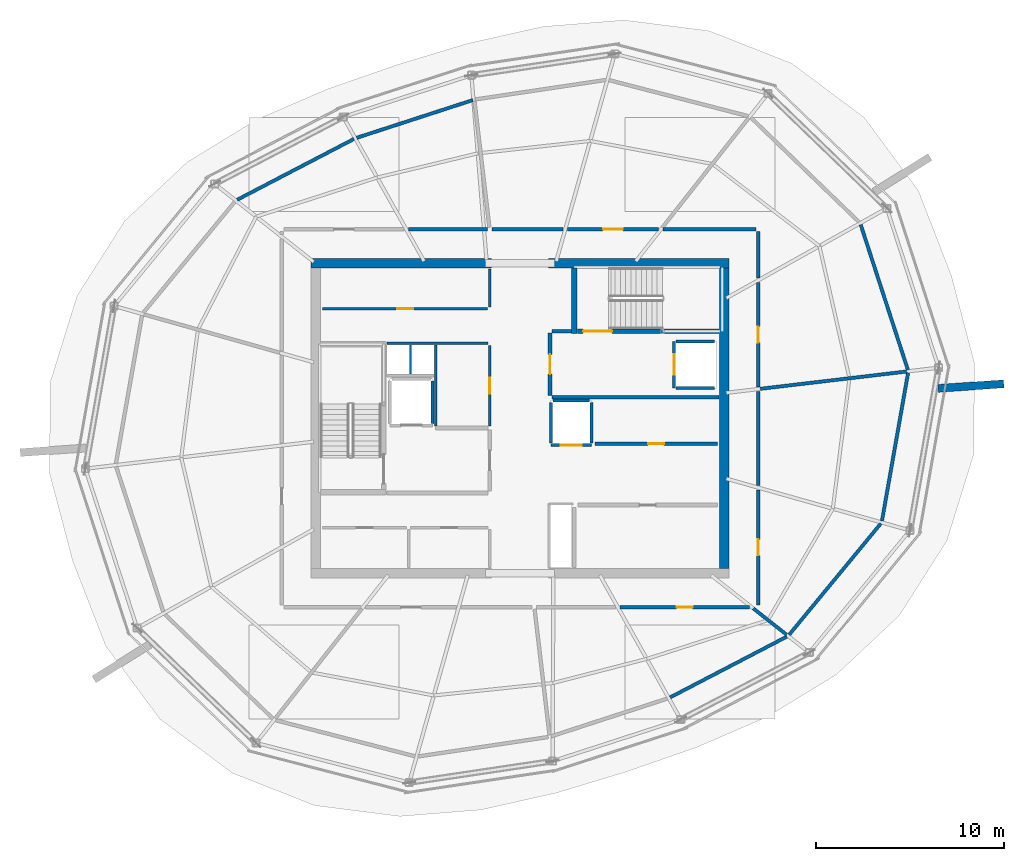
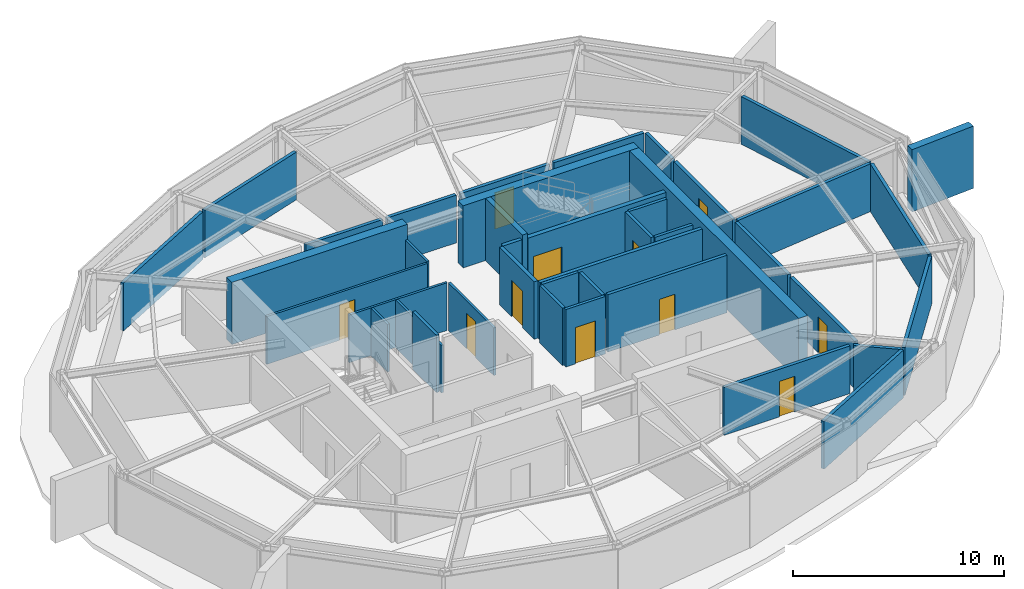
# One storey, part 8 of 10: 41 walls, 11 doors, 11 openings.
"""IFC4 building model written with IfcOpenShell, lengths in metres."""

from ifc_helpers import new_model, si_unit, direction, frame, frame_2d, origin, place, context, subcontext, project, spatial, rectangle, extrude, material, layer, layer_set, type_object, element, fill, save


model = new_model("IFC4")

# Units and contexts
model_context = context("Model", 3, precision=1e-05, world=origin(), true_north=direction((0.0, 1.0)))
body_context = subcontext(model_context, "Body", "Model", "MODEL_VIEW")
ifc_project = project(units=[si_unit("LENGTHUNIT", "METRE"), si_unit("AREAUNIT", "SQUARE_METRE"), si_unit("VOLUMEUNIT", "CUBIC_METRE"), si_unit("PLANEANGLEUNIT", "RADIAN"), si_unit("MASSUNIT", "GRAM", prefix="KILO")], contexts=[model_context])

# Site, building, storey
site_placement = place(None, origin())
site = spatial("IfcSite", under=ifc_project, at=site_placement, CompositionType="ELEMENT")
building_placement = place(site_placement, origin())
building = spatial("IfcBuilding", under=site, at=building_placement, Name="Kazma Halo Residences", CompositionType="ELEMENT")
storey_placement = place(building_placement, frame((0.0, 0.0, 363.199951171875)))
storey = spatial("IfcBuildingStorey", under=building, at=storey_placement, Name="L91", CompositionType="ELEMENT", Elevation=363.199951171875)

# Walls
ifc_material_1 = material(Name="Pale Concrete C60/75", Category="concrete")
ifc_layer_1 = layer(ifc_material_1, 0.419921875)
ifc_layer_set_1 = layer_set([ifc_layer_1], Name="Pale Concrete C60/75")
wall_type_1 = type_object("IfcWallType", Name="WL-BLADE-420", PredefinedType="SOLIDWALL", material=ifc_layer_set_1)
wall_1_placement = place(storey_placement, frame((70.666015625, 43.5849609375, 0.0), z_axis=(0.0, 0.0, 1.0), x_axis=(0.997564163539, 0.069754853754, 0.0)))
element("IfcWall", 1, at=wall_1_placement, inside=storey, type_object=wall_type_1, Name="L91 pale concrete structural blade fin wall BW-04", PredefinedType="SOLIDWALL", context=body_context, shape_type="SweptSolid", body=[
    extrude(rectangle(XDim=3.5, YDim=0.419921875, at=frame_2d((1.75, 0.0))), origin(), (0.0, 0.0, 1.0), 3.60009765625),
])
ifc_material_2 = material(Name="Concrete C60/75", Category="concrete")
ifc_layer_2 = layer(ifc_material_2, 0.5)
ifc_layer_set_2 = layer_set([ifc_layer_2], Name="Concrete C60/75")
wall_type_2 = type_object("IfcWallType", Name="WL-CORE-500", PredefinedType="SHEAR", material=ifc_layer_set_2)
wall_2_placement = place(storey_placement, frame((37.300048828125, 50.25, 0.0), z_axis=(0.0, 0.0, 1.0), x_axis=(1.0, 0.0, 0.0)))
element("IfcWall", 2, at=wall_2_placement, inside=storey, type_object=wall_type_2, Name="L91 central core shear wall NW", PredefinedType="SHEAR", context=body_context, shape_type="SweptSolid", body=[
    extrude(rectangle(XDim=9.599853515625, YDim=0.5, at=frame_2d((4.7998046875, 0.0))), origin(), (0.0, 0.0, 1.0), 3.60009765625),
])
wall_3_placement = place(storey_placement, frame((49.949951171875, 50.25, 0.0), z_axis=(0.0, 0.0, 1.0), x_axis=(1.0, 0.0, 0.0)))
element("IfcWall", 3, at=wall_3_placement, inside=storey, type_object=wall_type_2, Name="L91 central core shear wall NE", PredefinedType="SHEAR", context=body_context, shape_type="SweptSolid", body=[
    extrude(rectangle(XDim=9.60009765625, YDim=0.5, at=frame_2d((4.800048828125, 0.0))), origin(), (0.0, 0.0, 1.0), 3.60009765625),
])
wall_4_placement = place(storey_placement, frame((59.300048828125, 34.0, 0.0), z_axis=(0.0, 0.0, 1.0), x_axis=(0.0, 1.0, 0.0)))
element("IfcWall", 4, at=wall_4_placement, inside=storey, type_object=wall_type_2, Name="L91 central core shear wall E", PredefinedType="SHEAR", context=body_context, shape_type="SweptSolid", body=[
    extrude(rectangle(XDim=16.0, YDim=0.5, at=frame_2d((8.0, 0.0))), origin(), (0.0, 0.0, 1.0), 3.60009765625),
])
ifc_layer_3 = layer(ifc_material_2, 0.280029296875)
ifc_layer_set_3 = layer_set([ifc_layer_3], Name="Concrete C60/75")
wall_type_3 = type_object("IfcWallType", Name="WL-CORE-ST-280", PredefinedType="SHEAR", material=ifc_layer_set_3)
wall_5_placement = place(storey_placement, frame((51.31005859375, 46.5, 0.0), z_axis=(0.0, 0.0, 1.0), x_axis=(0.0, 1.0, 0.0)))
element("IfcWall", 5, at=wall_5_placement, inside=storey, type_object=wall_type_3, Name="L91 stairwell bearing wall ST02-W", PredefinedType="SHEAR", context=body_context, shape_type="SweptSolid", body=[
    extrude(rectangle(XDim=3.5, YDim=0.280029296875, at=frame_2d((1.75, 0.0))), origin(), (0.0, 0.0, 1.0), 3.60009765625),
])
ifc_material_3 = material(Name="Acoustic Twin-Stud Gypsum")
ifc_layer_4 = layer(ifc_material_3, 0.179931640625)
ifc_layer_set_4 = layer_set([ifc_layer_4], Name="Acoustic Twin-Stud Gypsum")
wall_type_4 = type_object("IfcWallType", Name="WL-DEM-180", PredefinedType="PARTITIONING", material=ifc_layer_set_4)
wall_6_placement = place(storey_placement, frame((45.91796875, 58.923095703125, 0.0), z_axis=(0.0, 0.0, 1.0), x_axis=(-0.95105283999, -0.309028308649, 0.0)))
element("IfcWall", 6, at=wall_6_placement, inside=storey, type_object=wall_type_4, Name="L91 crown plant perimeter wall 03", PredefinedType="PARTITIONING", context=body_context, shape_type="SweptSolid", body=[
    extrude(rectangle(XDim=6.498779296875, YDim=0.179931640625, at=frame_2d((3.24951171875, 0.0))), origin(), (0.0, 0.0, 1.0), 2.760009765625),
])
for number, where, z_axis, x_axis, name in (
    (7, (39.590087890625, 56.85302734375, 0.0), (0.0, 0.0, 1.0), (-0.886949494865, -0.461866423935, 0.0), "L91 crown plant perimeter wall 04"),
    (8, (56.409912109375, 27.14697265625, 0.0), (0.0, 0.0, 1.0), (0.886949494865, 0.461866423935, 0.0), "L91 crown plant perimeter wall 12"),
):
    element("IfcWall", number, at=place(storey_placement, frame(where, z_axis=z_axis, x_axis=x_axis)), inside=storey, type_object=wall_type_4, Name=name, PredefinedType="PARTITIONING", context=body_context, shape_type="SweptSolid", body=[
        extrude(rectangle(XDim=7.002197265625, YDim=0.179931640625, at=frame_2d((3.5009765625, 0.0))), origin(), (0.0, 0.0, 1.0), 2.760009765625),
    ])
wall_7_placement = place(storey_placement, frame((62.742431640625, 30.479736328125, 0.0), z_axis=(0.0, 0.0, 1.0), x_axis=(0.636018833443, 0.771673534278, 0.0)))
element("IfcWall", 9, at=wall_7_placement, inside=storey, type_object=wall_type_4, Name="L91 crown plant perimeter wall 13", PredefinedType="PARTITIONING", context=body_context, shape_type="SweptSolid", body=[
    extrude(rectangle(XDim=7.661376953125, YDim=0.179931640625, at=frame_2d((3.83056640625, 0.0))), origin(), (0.0, 0.0, 1.0), 2.760009765625),
])
wall_8_placement = place(storey_placement, frame((67.679931640625, 36.532470703125, 0.0), z_axis=(0.0, 0.0, 1.0), x_axis=(0.173668776466, 0.984804120666, 0.0)))
element("IfcWall", 10, at=wall_8_placement, inside=storey, type_object=wall_type_4, Name="L91 crown plant perimeter wall 14", PredefinedType="PARTITIONING", context=body_context, shape_type="SweptSolid", body=[
    extrude(rectangle(XDim=8.005859375, YDim=0.179931640625, at=frame_2d((4.0029296875, 0.0))), origin(), (0.0, 0.0, 1.0), 2.760009765625),
])
wall_9_placement = place(storey_placement, frame((69.059326171875, 44.571533203125, 0.0), z_axis=(0.0, 0.0, 1.0), x_axis=(-0.309024234991, 0.951054163646, 0.0)))
element("IfcWall", 11, at=wall_9_placement, inside=storey, type_object=wall_type_4, Name="L91 crown plant perimeter wall 15", PredefinedType="PARTITIONING", context=body_context, shape_type="SweptSolid", body=[
    extrude(rectangle(XDim=8.1240234375, YDim=0.179931640625, at=frame_2d((4.06201171875, 0.0))), origin(), (0.0, 0.0, 1.0), 2.760009765625),
])

# Wall, opening, door
wall_10_placement = place(storey_placement, frame((55.802734375, 52.050048828125, 0.0), z_axis=(0.0, 0.0, 1.0), x_axis=(-1.0, 0.0, 0.0)))
wall_10 = element("IfcWall", 12, at=wall_10_placement, inside=storey, type_object=wall_type_4, Name="L91 L91 Cooling Tower Plant Room North corridor wall", PredefinedType="PARTITIONING", context=body_context, shape_type="SweptSolid", body=[
    extrude(rectangle(XDim=4.848388671875, YDim=0.179931640625, at=frame_2d((2.42431640625, 0.0))), origin(), (0.0, 0.0, 1.0), 2.760009765625),
])
opening_1_placement = place(wall_10_placement, frame((1.899169921875, 0.0, 0.0)))
opening_1 = element("IfcOpeningElement", 13, at=opening_1_placement, cuts=wall_10, Name="Opening DF-1050", PredefinedType="OPENING", context=body_context, shape_type="SweptSolid", body=[
    extrude(rectangle(XDim=1.050048828125, YDim=2.10009765625, at=frame_2d((0.52490234375, 1.050048828125))), frame((0.0, 0.099853515625, 0.0), z_axis=(0.0, -1.0, 0.0), x_axis=(1.0, 0.0, 0.0)), (0.0, 0.0, 1.0), 0.199951171875),
])
ifc_material_4 = material(Name="Fire-Rated Steel Leaf", Category="steel")
door_type_1 = type_object("IfcDoorType", Name="DR-FD90-1050", OperationType="NOTDEFINED", PredefinedType="DOOR", material=ifc_material_4)
door_1_placement = place(opening_1_placement, origin())
door_1 = element("IfcDoor", 14, at=door_1_placement, inside=storey, type_object=door_type_1, Name="L91 L91 Cooling Tower Plant Room North door", OperationType="SINGLE_SWING_LEFT", OverallHeight=2.10009765625, OverallWidth=1.050048828125, PredefinedType="DOOR", context=body_context, shape_type="SweptSolid", body=[
    extrude(rectangle(XDim=1.050048828125, YDim=2.10009765625, at=frame_2d((0.52490234375, 1.050048828125))), frame((0.0, 0.02490234375, 0.0), z_axis=(0.0, -1.0, 0.0), x_axis=(1.0, 0.0, 0.0)), (0.0, 0.0, 1.0), 0.050048828125),
])
fill(opening_1, door_1)

# Walls
wall_11_placement = place(storey_placement, frame((50.71435546875, 52.050048828125, 0.0), z_axis=(0.0, 0.0, 1.0), x_axis=(-1.0, 0.0, 0.0)))
element("IfcWall", 15, at=wall_11_placement, inside=storey, type_object=wall_type_4, Name="L91 L91 Cooling Tower Plant Room North corridor wall", PredefinedType="PARTITIONING", context=body_context, shape_type="SweptSolid", body=[
    extrude(rectangle(XDim=3.783935546875, YDim=0.179931640625, at=frame_2d((1.89208984375, 0.0))), origin(), (0.0, 0.0, 1.0), 2.760009765625),
])
wall_12_placement = place(storey_placement, frame((46.6904296875, 52.050048828125, 0.0), z_axis=(0.0, 0.0, 1.0), x_axis=(-1.0, 0.0, 0.0)))
element("IfcWall", 16, at=wall_12_placement, inside=storey, type_object=wall_type_4, Name="L91 L91 Chilled-Water Pump Plant Room corridor wall", PredefinedType="PARTITIONING", context=body_context, shape_type="SweptSolid", body=[
    extrude(rectangle(XDim=4.19873046875, YDim=0.179931640625, at=frame_2d((2.099365234375, 0.0))), origin(), (0.0, 0.0, 1.0), 2.760009765625),
])

# Wall, opening, door
wall_13_placement = place(storey_placement, frame((53.748291015625, 31.949951171875, 0.0), z_axis=(0.0, 0.0, 1.0), x_axis=(1.0, 0.0, 0.0)))
wall_13 = element("IfcWall", 17, at=wall_13_placement, inside=storey, type_object=wall_type_4, Name="L91 L91 Pressurisation Fan Plant Room corridor wall", PredefinedType="PARTITIONING", context=body_context, shape_type="SweptSolid", body=[
    extrude(rectangle(XDim=6.880126953125, YDim=0.179931640625, at=frame_2d((3.43994140625, 0.0))), origin(), (0.0, 0.0, 1.0), 2.760009765625),
])
opening_2_placement = place(wall_13_placement, frame((3.014892578125, 0.0, 0.0)))
opening_2 = element("IfcOpeningElement", 18, at=opening_2_placement, cuts=wall_13, Name="Opening DS-850", PredefinedType="OPENING", context=body_context, shape_type="SweptSolid", body=[
    extrude(rectangle(XDim=0.85009765625, YDim=2.06005859375, at=frame_2d((0.425048828125, 1.030029296875))), frame((0.0, 0.099853515625, 0.0), z_axis=(0.0, -1.0, 0.0), x_axis=(1.0, 0.0, 0.0)), (0.0, 0.0, 1.0), 0.199951171875),
])
ifc_material_5 = material(Name="Painted Steel Access Leaf", Category="steel")
door_type_2 = type_object("IfcDoorType", Name="DR-SVC-850", OperationType="NOTDEFINED", PredefinedType="DOOR", material=ifc_material_5)
door_2_placement = place(opening_2_placement, origin())
door_2 = element("IfcDoor", 19, at=door_2_placement, inside=storey, type_object=door_type_2, Name="L91 L91 Pressurisation Fan Plant Room door", OperationType="SINGLE_SWING_LEFT", OverallHeight=2.06005859375, OverallWidth=0.85009765625, PredefinedType="DOOR", context=body_context, shape_type="SweptSolid", body=[
    extrude(rectangle(XDim=0.85009765625, YDim=2.06005859375, at=frame_2d((0.425048828125, 1.030029296875))), frame((0.0, 0.02490234375, 0.0), z_axis=(0.0, -1.0, 0.0), x_axis=(1.0, 0.0, 0.0)), (0.0, 0.0, 1.0), 0.050048828125),
])
fill(opening_2, door_2)

# Wall
wall_14_placement = place(storey_placement, frame((60.834716796875, 31.8818359375, 0.0), z_axis=(0.0, 0.0, 1.0), x_axis=(0.785329646864, -0.619077818821, 0.0)))
element("IfcWall", 20, at=wall_14_placement, inside=storey, type_object=wall_type_4, Name="L91 radial partition wall 13", PredefinedType="PARTITIONING", context=body_context, shape_type="SweptSolid", body=[
    extrude(rectangle(XDim=2.264404296875, YDim=0.179931640625, at=frame_2d((1.13232421875, 0.0))), origin(), (0.0, 0.0, 1.0), 2.760009765625),
])

# Wall, opening, door
wall_15_placement = place(storey_placement, frame((61.10009765625, 32.070068359375, 0.0), z_axis=(0.0, 0.0, 1.0), x_axis=(0.0, 1.0, 0.0)))
wall_15 = element("IfcWall", 21, at=wall_15_placement, inside=storey, type_object=wall_type_4, Name="L91 L91 Transformer Switchgear Plant Room corridor wall", PredefinedType="PARTITIONING", context=body_context, shape_type="SweptSolid", body=[
    extrude(rectangle(XDim=6.115234375, YDim=0.179931640625, at=frame_2d((3.0576171875, 0.0))), origin(), (0.0, 0.0, 1.0), 2.760009765625),
])
opening_3_placement = place(wall_15_placement, frame((2.6328125, 0.0, 0.0)))
opening_3 = element("IfcOpeningElement", 22, at=opening_3_placement, cuts=wall_15, Name="Opening DS-850", PredefinedType="OPENING", context=body_context, shape_type="SweptSolid", body=[
    extrude(rectangle(XDim=0.85009765625, YDim=2.06005859375, at=frame_2d((0.425048828125, 1.030029296875))), frame((0.0, 0.099853515625, 0.0), z_axis=(0.0, -1.0, 0.0), x_axis=(1.0, 0.0, 0.0)), (0.0, 0.0, 1.0), 0.199951171875),
])
door_3_placement = place(opening_3_placement, origin())
door_3 = element("IfcDoor", 23, at=door_3_placement, inside=storey, type_object=door_type_2, Name="L91 L91 Transformer Switchgear Plant Room door", OperationType="SINGLE_SWING_RIGHT", OverallHeight=2.06005859375, OverallWidth=0.85009765625, PredefinedType="DOOR", context=body_context, shape_type="SweptSolid", body=[
    extrude(rectangle(XDim=0.85009765625, YDim=2.06005859375, at=frame_2d((0.425048828125, 1.030029296875))), frame((0.0, 0.02490234375, 0.0), z_axis=(0.0, -1.0, 0.0), x_axis=(1.0, 0.0, 0.0)), (0.0, 0.0, 1.0), 0.050048828125),
])
fill(opening_3, door_3)

# Walls
wall_16_placement = place(storey_placement, frame((61.10009765625, 38.42529296875, 0.0), z_axis=(0.0, 0.0, 1.0), x_axis=(0.0, 1.0, 0.0)))
element("IfcWall", 24, at=wall_16_placement, inside=storey, type_object=wall_type_4, Name="L91 L91 Transformer Switchgear Plant Room corridor wall", PredefinedType="PARTITIONING", context=body_context, shape_type="SweptSolid", body=[
    extrude(rectangle(XDim=5.005126953125, YDim=0.179931640625, at=frame_2d((2.50244140625, 0.0))), origin(), (0.0, 0.0, 1.0), 2.760009765625),
])
wall_17_placement = place(storey_placement, frame((61.209228515625, 43.5634765625, 0.0), z_axis=(0.0, 0.0, 1.0), x_axis=(0.993070558818, 0.117519637545, 0.0)))
element("IfcWall", 25, at=wall_17_placement, inside=storey, type_object=wall_type_4, Name="L91 radial partition wall 15", PredefinedType="PARTITIONING", context=body_context, shape_type="SweptSolid", body=[
    extrude(rectangle(XDim=7.829833984375, YDim=0.179931640625, at=frame_2d((3.9150390625, 0.0))), origin(), (0.0, 0.0, 1.0), 2.760009765625),
])

# Wall, opening, door
wall_18_placement = place(storey_placement, frame((61.10009765625, 43.67041015625, 0.0), z_axis=(0.0, 0.0, 1.0), x_axis=(0.0, 1.0, 0.0)))
wall_18 = element("IfcWall", 26, at=wall_18_placement, inside=storey, type_object=wall_type_4, Name="L91 L91 Telemetry Mechanical Plant Room corridor wall", PredefinedType="PARTITIONING", context=body_context, shape_type="SweptSolid", body=[
    extrude(rectangle(XDim=5.5458984375, YDim=0.179931640625, at=frame_2d((2.77294921875, 0.0))), origin(), (0.0, 0.0, 1.0), 2.760009765625),
])
opening_4_placement = place(wall_18_placement, frame((2.347900390625, 0.0, 0.0)))
opening_4 = element("IfcOpeningElement", 27, at=opening_4_placement, cuts=wall_18, Name="Opening DS-850", PredefinedType="OPENING", context=body_context, shape_type="SweptSolid", body=[
    extrude(rectangle(XDim=0.85009765625, YDim=2.06005859375, at=frame_2d((0.425048828125, 1.030029296875))), frame((0.0, 0.099853515625, 0.0), z_axis=(0.0, -1.0, 0.0), x_axis=(1.0, 0.0, 0.0)), (0.0, 0.0, 1.0), 0.199951171875),
])
door_4_placement = place(opening_4_placement, origin())
door_4 = element("IfcDoor", 28, at=door_4_placement, inside=storey, type_object=door_type_2, Name="L91 L91 Telemetry Mechanical Plant Room door", OperationType="SINGLE_SWING_LEFT", OverallHeight=2.06005859375, OverallWidth=0.85009765625, PredefinedType="DOOR", context=body_context, shape_type="SweptSolid", body=[
    extrude(rectangle(XDim=0.85009765625, YDim=2.06005859375, at=frame_2d((0.425048828125, 1.030029296875))), frame((0.0, 0.02490234375, 0.0), z_axis=(0.0, -1.0, 0.0), x_axis=(1.0, 0.0, 0.0)), (0.0, 0.0, 1.0), 0.050048828125),
])
fill(opening_4, door_4)

# Walls
wall_19_placement = place(storey_placement, frame((61.10009765625, 49.456298828125, 0.0), z_axis=(0.0, 0.0, 1.0), x_axis=(0.0, 1.0, 0.0)))
element("IfcWall", 29, at=wall_19_placement, inside=storey, type_object=wall_type_4, Name="L91 L91 Telemetry Mechanical Plant Room corridor wall", PredefinedType="PARTITIONING", context=body_context, shape_type="SweptSolid", body=[
    extrude(rectangle(XDim=2.4736328125, YDim=0.179931640625, at=frame_2d((1.23681640625, 0.0))), origin(), (0.0, 0.0, 1.0), 2.760009765625),
])
wall_20_placement = place(storey_placement, frame((60.97998046875, 52.050048828125, 0.0), z_axis=(0.0, 0.0, 1.0), x_axis=(-1.0, 0.0, 0.0)))
element("IfcWall", 30, at=wall_20_placement, inside=storey, type_object=wall_type_4, Name="L91 L91 Telemetry Mechanical Plant Room corridor wall", PredefinedType="PARTITIONING", context=body_context, shape_type="SweptSolid", body=[
    extrude(rectangle(XDim=4.937255859375, YDim=0.179931640625, at=frame_2d((2.46875, 0.0))), origin(), (0.0, 0.0, 1.0), 2.760009765625),
])
ifc_material_6 = material(Name="Fire-Rated Blockwork Masonry", Category="masonry")
ifc_layer_5 = layer(ifc_material_6, 0.199951171875)
ifc_layer_set_5 = layer_set([ifc_layer_5], Name="Fire-Rated Blockwork Masonry")
wall_type_5 = type_object("IfcWallType", Name="WL-FLB-200", PredefinedType="PARTITIONING", material=ifc_layer_set_5)
wall_21_placement = place(storey_placement, frame((43.780029296875, 41.719970703125, 0.0), z_axis=(0.0, 0.0, 1.0), x_axis=(0.0, 1.0, 0.0)))
element("IfcWall", 31, at=wall_21_placement, inside=storey, type_object=wall_type_5, Name="L91 lift shaft FL-01 side wall E", PredefinedType="PARTITIONING", context=body_context, shape_type="SweptSolid", body=[
    extrude(rectangle(XDim=2.260009765625, YDim=0.159912109375, at=frame_2d((1.1298828125, 0.0))), origin(), (0.0, 0.0, 1.0), 3.320068359375),
])

# Wall, opening, door
wall_22_placement = place(storey_placement, frame((56.6201171875, 46.080078125, 0.0), z_axis=(0.0, 0.0, 1.0), x_axis=(0.0, -1.0, 0.0)))
wall_22 = element("IfcWall", 32, at=wall_22_placement, inside=storey, type_object=wall_type_5, Name="L91 lift shaft FL-02 front wall", PredefinedType="PARTITIONING", context=body_context, shape_type="SweptSolid", body=[
    extrude(rectangle(XDim=2.4599609375, YDim=0.159912109375, at=frame_2d((1.22998046875, 0.0))), origin(), (0.0, 0.0, 1.0), 3.320068359375),
])
opening_5_placement = place(wall_22_placement, frame((0.679931640625, 0.0, 0.0)))
opening_5 = element("IfcOpeningElement", 33, at=opening_5_placement, cuts=wall_22, Name="Opening LD-FL-02", PredefinedType="OPENING", context=body_context, shape_type="SweptSolid", body=[
    extrude(rectangle(XDim=1.10009765625, YDim=2.10009765625, at=frame_2d((0.550048828125, 1.050048828125))), frame((0.0, 0.08984375, 0.0), z_axis=(0.0, -1.0, 0.0), x_axis=(1.0, 0.0, 0.0)), (0.0, 0.0, 1.0), 0.179931640625),
])
ifc_material_7 = material(Name="Stainless Steel Fire-Rated", Category="steel")
door_type_3 = type_object("IfcDoorType", Name="DR-LIFT-SLD-1100", OperationType="DOUBLE_DOOR_SLIDING", PredefinedType="DOOR", material=ifc_material_7)
door_5_placement = place(opening_5_placement, origin())
door_5 = element("IfcDoor", 34, at=door_5_placement, inside=storey, type_object=door_type_3, Name="L91 lift FL-02 sliding landing door", OperationType="DOUBLE_DOOR_SLIDING", OverallHeight=2.10009765625, OverallWidth=1.10009765625, PredefinedType="DOOR", context=body_context, shape_type="SweptSolid", body=[
    extrude(rectangle(XDim=1.10009765625, YDim=2.10009765625, at=frame_2d((0.550048828125, 1.050048828125))), frame((0.0, 0.02490234375, 0.0), z_axis=(0.0, -1.0, 0.0), x_axis=(1.0, 0.0, 0.0)), (0.0, 0.0, 1.0), 0.050048828125),
])
fill(opening_5, door_5)

# Walls
for number, where, z_axis, x_axis, name in (
    (35, (56.719970703125, 46.080078125, 0.0), (0.0, 0.0, 1.0), (1.0, 0.0, 0.0), "L91 lift shaft FL-02 side wall N"),
    (36, (56.719970703125, 43.6201171875, 0.0), (0.0, 0.0, 1.0), (1.0, 0.0, 0.0), "L91 lift shaft FL-02 side wall S"),
):
    element("IfcWall", number, at=place(storey_placement, frame(where, z_axis=z_axis, x_axis=x_axis)), inside=storey, type_object=wall_type_5, Name=name, PredefinedType="PARTITIONING", context=body_context, shape_type="SweptSolid", body=[
        extrude(rectangle(XDim=2.06005859375, YDim=0.159912109375, at=frame_2d((1.030029296875, 0.0))), origin(), (0.0, 0.0, 1.0), 3.320068359375),
    ])

# Wall, opening, door
wall_23_placement = place(storey_placement, frame((52.22998046875, 40.570068359375, 0.0), z_axis=(0.0, 0.0, 1.0), x_axis=(-1.0, 0.0, 0.0)))
wall_23 = element("IfcWall", 37, at=wall_23_placement, inside=storey, type_object=wall_type_5, Name="L91 lift shaft SV-01 front wall", PredefinedType="PARTITIONING", context=body_context, shape_type="SweptSolid", body=[
    extrude(rectangle(XDim=2.159912109375, YDim=0.159912109375, at=frame_2d((1.080078125, 0.0))), origin(), (0.0, 0.0, 1.0), 3.320068359375),
])
opening_6_placement = place(wall_23_placement, frame((0.530029296875, 0.0, 0.0)))
opening_6 = element("IfcOpeningElement", 38, at=opening_6_placement, cuts=wall_23, Name="Opening LD-SV-01", PredefinedType="OPENING", context=body_context, shape_type="SweptSolid", body=[
    extrude(rectangle(XDim=1.10009765625, YDim=2.10009765625, at=frame_2d((0.550048828125, 1.050048828125))), frame((0.0, 0.08984375, 0.0), z_axis=(0.0, -1.0, 0.0), x_axis=(1.0, 0.0, 0.0)), (0.0, 0.0, 1.0), 0.179931640625),
])
door_6_placement = place(opening_6_placement, origin())
door_6 = element("IfcDoor", 39, at=door_6_placement, inside=storey, type_object=door_type_3, Name="L91 lift SV-01 sliding landing door", OperationType="DOUBLE_DOOR_SLIDING", OverallHeight=2.10009765625, OverallWidth=1.10009765625, PredefinedType="DOOR", context=body_context, shape_type="SweptSolid", body=[
    extrude(rectangle(XDim=1.10009765625, YDim=2.10009765625, at=frame_2d((0.550048828125, 1.050048828125))), frame((0.0, 0.02490234375, 0.0), z_axis=(0.0, -1.0, 0.0), x_axis=(1.0, 0.0, 0.0)), (0.0, 0.0, 1.0), 0.050048828125),
])
fill(opening_6, door_6)

# Walls
for number, where, z_axis, x_axis, name in (
    (40, (52.22998046875, 40.669921875, 0.0), (0.0, 0.0, 1.0), (0.0, 1.0, 0.0), "L91 lift shaft SV-01 side wall E"),
    (41, (50.070068359375, 40.669921875, 0.0), (0.0, 0.0, 1.0), (0.0, 1.0, 0.0), "L91 lift shaft SV-01 side wall W"),
):
    element("IfcWall", number, at=place(storey_placement, frame(where, z_axis=z_axis, x_axis=x_axis)), inside=storey, type_object=wall_type_5, Name=name, PredefinedType="PARTITIONING", context=body_context, shape_type="SweptSolid", body=[
        extrude(rectangle(XDim=2.16015625, YDim=0.159912109375, at=frame_2d((1.080078125, 0.0))), origin(), (0.0, 0.0, 1.0), 3.320068359375),
    ])
wall_24_placement = place(storey_placement, frame((50.169921875, 42.929931640625, 0.0), z_axis=(0.0, 0.0, 1.0), x_axis=(1.0, 0.0, 0.0)))
element("IfcWall", 42, at=wall_24_placement, inside=storey, type_object=wall_type_5, Name="L91 lift shaft SV-01 side wall N", PredefinedType="PARTITIONING", context=body_context, shape_type="SweptSolid", body=[
    extrude(rectangle(XDim=1.9599609375, YDim=0.159912109375, at=frame_2d((0.97998046875, 0.0))), origin(), (0.0, 0.0, 1.0), 3.320068359375),
])

# Wall, opening, door
wall_25_placement = place(storey_placement, frame((52.419921875, 40.64990234375, 0.0), z_axis=(0.0, 0.0, 1.0), x_axis=(1.0, 0.0, 0.0)))
wall_25 = element("IfcWall", 43, at=wall_25_placement, inside=storey, type_object=wall_type_5, Name="L91 core east reserve wall", PredefinedType="PARTITIONING", context=body_context, shape_type="SweptSolid", body=[
    extrude(rectangle(XDim=6.5, YDim=0.179931640625, at=frame_2d((3.25, 0.0))), origin(), (0.0, 0.0, 1.0), 3.320068359375),
])
opening_7_placement = place(wall_25_placement, frame((2.824951171875, 0.0, 0.0)))
opening_7 = element("IfcOpeningElement", 44, at=opening_7_placement, cuts=wall_25, Name="Opening DS-850", PredefinedType="OPENING", context=body_context, shape_type="SweptSolid", body=[
    extrude(rectangle(XDim=0.85009765625, YDim=2.06005859375, at=frame_2d((0.425048828125, 1.030029296875))), frame((0.0, 0.099853515625, 0.0), z_axis=(0.0, -1.0, 0.0), x_axis=(1.0, 0.0, 0.0)), (0.0, 0.0, 1.0), 0.199951171875),
])
door_7_placement = place(opening_7_placement, origin())
door_7 = element("IfcDoor", 45, at=door_7_placement, inside=storey, type_object=door_type_2, Name="L91 core east reserve door", OperationType="SINGLE_SWING_RIGHT", OverallHeight=2.06005859375, OverallWidth=0.85009765625, PredefinedType="DOOR", context=body_context, shape_type="SweptSolid", body=[
    extrude(rectangle(XDim=0.85009765625, YDim=2.06005859375, at=frame_2d((0.425048828125, 1.030029296875))), frame((0.0, 0.02490234375, 0.0), z_axis=(0.0, -1.0, 0.0), x_axis=(1.0, 0.0, 0.0)), (0.0, 0.0, 1.0), 0.050048828125),
])
fill(opening_7, door_7)

# Walls
wall_26_placement = place(storey_placement, frame((50.1201171875, 43.1201171875, 0.0), z_axis=(0.0, 0.0, 1.0), x_axis=(1.0, 0.0, 0.0)))
element("IfcWall", 46, at=wall_26_placement, inside=storey, type_object=wall_type_5, Name="L91 east firefighting lobby south smoke wall", PredefinedType="PARTITIONING", context=body_context, shape_type="SweptSolid", body=[
    extrude(rectangle(XDim=8.8798828125, YDim=0.199951171875, at=frame_2d((4.43994140625, 0.0))), origin(), (0.0, 0.0, 1.0), 3.320068359375),
])
wall_27_placement = place(storey_placement, frame((50.139892578125, 46.6201171875, 0.0), z_axis=(0.0, 0.0, 1.0), x_axis=(1.0, 0.0, 0.0)))
element("IfcWall", 47, at=wall_27_placement, inside=storey, type_object=wall_type_5, Name="L91 east firefighting lobby north closure wall", PredefinedType="PARTITIONING", context=body_context, shape_type="SweptSolid", body=[
    extrude(rectangle(XDim=1.02001953125, YDim=0.199951171875, at=frame_2d((0.510009765625, 0.0))), origin(), (0.0, 0.0, 1.0), 3.320068359375),
])

# Wall, opening, door
wall_28_placement = place(storey_placement, frame((50.02001953125, 43.219970703125, 0.0), z_axis=(0.0, 0.0, 1.0), x_axis=(0.0, 1.0, 0.0)))
wall_28 = element("IfcWall", 48, at=wall_28_placement, inside=storey, type_object=wall_type_5, Name="L91 east firefighting lobby smoke wall", PredefinedType="PARTITIONING", context=body_context, shape_type="SweptSolid", body=[
    extrude(rectangle(XDim=3.300048828125, YDim=0.199951171875, at=frame_2d((1.64990234375, 0.0))), origin(), (0.0, 0.0, 1.0), 3.320068359375),
])
opening_8_placement = place(wall_28_placement, frame((1.125, 0.0, 0.0)))
opening_8 = element("IfcOpeningElement", 49, at=opening_8_placement, cuts=wall_28, Name="Opening D-FLE", PredefinedType="OPENING", context=body_context, shape_type="SweptSolid", body=[
    extrude(rectangle(XDim=1.050048828125, YDim=2.10009765625, at=frame_2d((0.52490234375, 1.050048828125))), frame((0.0, 0.10986328125, 0.0), z_axis=(0.0, -1.0, 0.0), x_axis=(1.0, 0.0, 0.0)), (0.0, 0.0, 1.0), 0.219970703125),
])
door_8_placement = place(opening_8_placement, origin())
door_8 = element("IfcDoor", 50, at=door_8_placement, inside=storey, type_object=door_type_1, Name="L91 east firefighting lobby smoke door", OperationType="SINGLE_SWING_LEFT", OverallHeight=2.10009765625, OverallWidth=1.050048828125, PredefinedType="DOOR", context=body_context, shape_type="SweptSolid", body=[
    extrude(rectangle(XDim=1.050048828125, YDim=2.10009765625, at=frame_2d((0.52490234375, 1.050048828125))), frame((0.0, 0.02490234375, 0.0), z_axis=(0.0, -1.0, 0.0), x_axis=(1.0, 0.0, 0.0)), (0.0, 0.0, 1.0), 0.050048828125),
])
fill(opening_8, door_8)

# Wall
ifc_material_8 = material(Name="Gypsum Plasterboard Partition")
ifc_layer_6 = layer(ifc_material_8, 0.125)
ifc_layer_set_6 = layer_set([ifc_layer_6], Name="Gypsum Plasterboard Partition")
wall_type_6 = type_object("IfcWallType", Name="WL-PART-125", PredefinedType="PARTITIONING", material=ifc_layer_set_6)
wall_29_placement = place(storey_placement, frame((46.820068359375, 47.919921875, 0.0), z_axis=(0.0, 0.0, 1.0), x_axis=(0.0, 1.0, 0.0)))
element("IfcWall", 51, at=wall_29_placement, inside=storey, type_object=wall_type_6, Name="L91 reclaimed north east wall", PredefinedType="PARTITIONING", context=body_context, shape_type="SweptSolid", body=[
    extrude(rectangle(XDim=2.030029296875, YDim=0.125, at=frame_2d((1.01513671875, 0.0))), origin(), (0.0, 0.0, 1.0), 2.760009765625),
])

# Wall, opening, door
wall_30_placement = place(storey_placement, frame((37.919921875, 47.820068359375, 0.0), z_axis=(0.0, 0.0, 1.0), x_axis=(1.0, 0.0, 0.0)))
wall_30 = element("IfcWall", 52, at=wall_30_placement, inside=storey, type_object=wall_type_6, Name="L91 reclaimed north front wall", PredefinedType="PARTITIONING", context=body_context, shape_type="SweptSolid", body=[
    extrude(rectangle(XDim=8.780029296875, YDim=0.125, at=frame_2d((4.39013671875, 0.0))), origin(), (0.0, 0.0, 1.0), 2.760009765625),
])
opening_9_placement = place(wall_30_placement, frame((3.965087890625, 0.0, 0.0)))
opening_9 = element("IfcOpeningElement", 53, at=opening_9_placement, cuts=wall_30, Name="Opening DS-850", PredefinedType="OPENING", context=body_context, shape_type="SweptSolid", body=[
    extrude(rectangle(XDim=0.85009765625, YDim=2.06005859375, at=frame_2d((0.425048828125, 1.030029296875))), frame((0.0, 0.072509765625, 0.0), z_axis=(0.0, -1.0, 0.0), x_axis=(1.0, 0.0, 0.0)), (0.0, 0.0, 1.0), 0.14501953125),
])
door_9_placement = place(opening_9_placement, origin())
door_9 = element("IfcDoor", 54, at=door_9_placement, inside=storey, type_object=door_type_2, Name="L91 reclaimed north service door", OperationType="SINGLE_SWING_RIGHT", OverallHeight=2.06005859375, OverallWidth=0.85009765625, PredefinedType="DOOR", context=body_context, shape_type="SweptSolid", body=[
    extrude(rectangle(XDim=0.85009765625, YDim=2.06005859375, at=frame_2d((0.425048828125, 1.030029296875))), frame((0.0, 0.02490234375, 0.0), z_axis=(0.0, -1.0, 0.0), x_axis=(1.0, 0.0, 0.0)), (0.0, 0.0, 1.0), 0.050048828125),
])
fill(opening_9, door_9)

# Walls
wall_31_placement = place(storey_placement, frame((41.360107421875, 45.97998046875, 0.0), z_axis=(0.0, 0.0, 1.0), x_axis=(1.0, 0.0, 0.0)))
element("IfcWall", 55, at=wall_31_placement, inside=storey, type_object=wall_type_6, Name="L91 core north riser wall", PredefinedType="PARTITIONING", context=body_context, shape_type="SweptSolid", body=[
    extrude(rectangle(XDim=5.35986328125, YDim=0.125, at=frame_2d((2.679931640625, 0.0))), origin(), (0.0, 0.0, 1.0), 2.760009765625),
])
wall_32_placement = place(storey_placement, frame((42.60009765625, 44.35009765625, 0.0), z_axis=(0.0, 0.0, 1.0), x_axis=(0.0, 1.0, 0.0)))
element("IfcWall", 56, at=wall_32_placement, inside=storey, type_object=wall_type_6, Name="L91 core riser divider wall", PredefinedType="PARTITIONING", context=body_context, shape_type="SweptSolid", body=[
    extrude(rectangle(XDim=1.5498046875, YDim=0.125, at=frame_2d((0.77490234375, 0.0))), origin(), (0.0, 0.0, 1.0), 2.760009765625),
])
wall_33_placement = place(storey_placement, frame((43.949951171875, 41.580078125, 0.0), z_axis=(0.0, 0.0, 1.0), x_axis=(0.0, 1.0, 0.0)))
element("IfcWall", 57, at=wall_33_placement, inside=storey, type_object=wall_type_6, Name="L91 core service west wall", PredefinedType="PARTITIONING", context=body_context, shape_type="SweptSolid", body=[
    extrude(rectangle(XDim=4.31982421875, YDim=0.125, at=frame_2d((2.159912109375, 0.0))), origin(), (0.0, 0.0, 1.0), 2.760009765625),
])

# Wall, opening, door
wall_34_placement = place(storey_placement, frame((46.820068359375, 41.580078125, 0.0), z_axis=(0.0, 0.0, 1.0), x_axis=(0.0, 1.0, 0.0)))
wall_34 = element("IfcWall", 58, at=wall_34_placement, inside=storey, type_object=wall_type_6, Name="L91 core service room east wall", PredefinedType="PARTITIONING", context=body_context, shape_type="SweptSolid", body=[
    extrude(rectangle(XDim=4.2998046875, YDim=0.125, at=frame_2d((2.14990234375, 0.0))), origin(), (0.0, 0.0, 1.0), 2.760009765625),
])
opening_10_placement = place(wall_34_placement, frame((1.72509765625, 0.0, 0.0)))
opening_10 = element("IfcOpeningElement", 59, at=opening_10_placement, cuts=wall_34, Name="Opening DS-850", PredefinedType="OPENING", context=body_context, shape_type="SweptSolid", body=[
    extrude(rectangle(XDim=0.85009765625, YDim=2.06005859375, at=frame_2d((0.425048828125, 1.030029296875))), frame((0.0, 0.072509765625, 0.0), z_axis=(0.0, -1.0, 0.0), x_axis=(1.0, 0.0, 0.0)), (0.0, 0.0, 1.0), 0.14501953125),
])
door_10_placement = place(opening_10_placement, origin())
door_10 = element("IfcDoor", 60, at=door_10_placement, inside=storey, type_object=door_type_2, Name="L91 core service room door", OperationType="SINGLE_SWING_RIGHT", OverallHeight=2.06005859375, OverallWidth=0.85009765625, PredefinedType="DOOR", context=body_context, shape_type="SweptSolid", body=[
    extrude(rectangle(XDim=0.85009765625, YDim=2.06005859375, at=frame_2d((0.425048828125, 1.030029296875))), frame((0.0, 0.02490234375, 0.0), z_axis=(0.0, -1.0, 0.0), x_axis=(1.0, 0.0, 0.0)), (0.0, 0.0, 1.0), 0.050048828125),
])
fill(opening_10, door_10)

ifc_material_9 = material(Name="Concrete C50/60", Category="concrete")
ifc_layer_7 = layer(ifc_material_9, 0.25)
ifc_layer_set_7 = layer_set([ifc_layer_7], Name="Concrete C50/60")
wall_type_7 = type_object("IfcWallType", Name="WL-SHF-250", PredefinedType="SOLIDWALL", material=ifc_layer_set_7)
wall_35_placement = place(storey_placement, frame((51.47998046875, 46.6201171875, 0.0), z_axis=(0.0, 0.0, 1.0), x_axis=(1.0, 0.0, 0.0)))
wall_35 = element("IfcWall", 61, at=wall_35_placement, inside=storey, type_object=wall_type_7, Name="L91 exit stair ST-02 enclosure wall", PredefinedType="SOLIDWALL", context=body_context, shape_type="SweptSolid", body=[
    extrude(rectangle(XDim=7.5400390625, YDim=0.25, at=frame_2d((3.77001953125, 0.0))), origin(), (0.0, 0.0, 1.0), 3.320068359375),
])
opening_11_placement = place(wall_35_placement, frame((0.300048828125, 0.0, 0.0)))
opening_11 = element("IfcOpeningElement", 62, at=opening_11_placement, cuts=wall_35, Name="Opening D-ST2", PredefinedType="OPENING", context=body_context, shape_type="SweptSolid", body=[
    extrude(rectangle(XDim=1.550048828125, YDim=2.14990234375, at=frame_2d((0.77490234375, 1.074951171875))), frame((0.0, 0.135009765625, 0.0), z_axis=(0.0, -1.0, 0.0), x_axis=(1.0, 0.0, 0.0)), (0.0, 0.0, 1.0), 0.27001953125),
])
ifc_material_10 = material(Name="Fire-Rated Double Steel Leaf", Category="steel")
door_type_4 = type_object("IfcDoorType", Name="DR-FD90-1550", OperationType="NOTDEFINED", PredefinedType="DOOR", material=ifc_material_10)
door_11_placement = place(opening_11_placement, origin())
door_11 = element("IfcDoor", 63, at=door_11_placement, inside=storey, type_object=door_type_4, Name="L91 exit stair ST-02 fire door", OperationType="DOUBLE_DOOR_SINGLE_SWING", OverallHeight=2.14990234375, OverallWidth=1.550048828125, PredefinedType="DOOR", context=body_context, shape_type="SweptSolid", body=[
    extrude(rectangle(XDim=1.550048828125, YDim=2.14990234375, at=frame_2d((0.77490234375, 1.074951171875))), frame((0.0, 0.02490234375, 0.0), z_axis=(0.0, -1.0, 0.0), x_axis=(1.0, 0.0, 0.0)), (0.0, 0.0, 1.0), 0.050048828125),
])
fill(opening_11, door_11)

save(model, "model.ifc")
